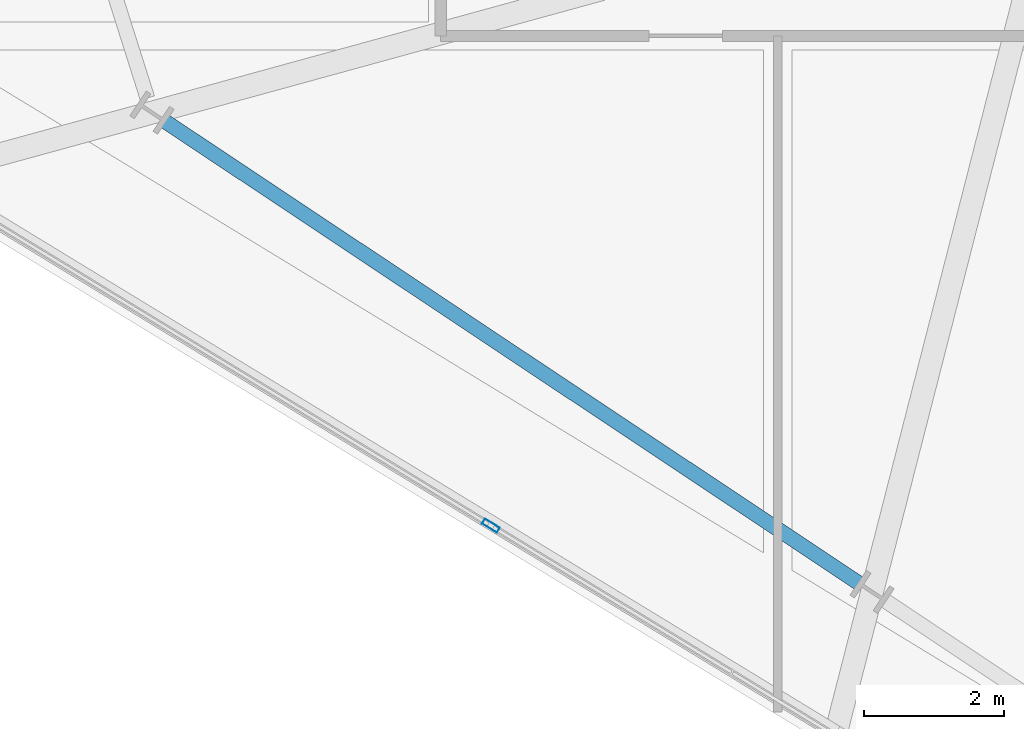
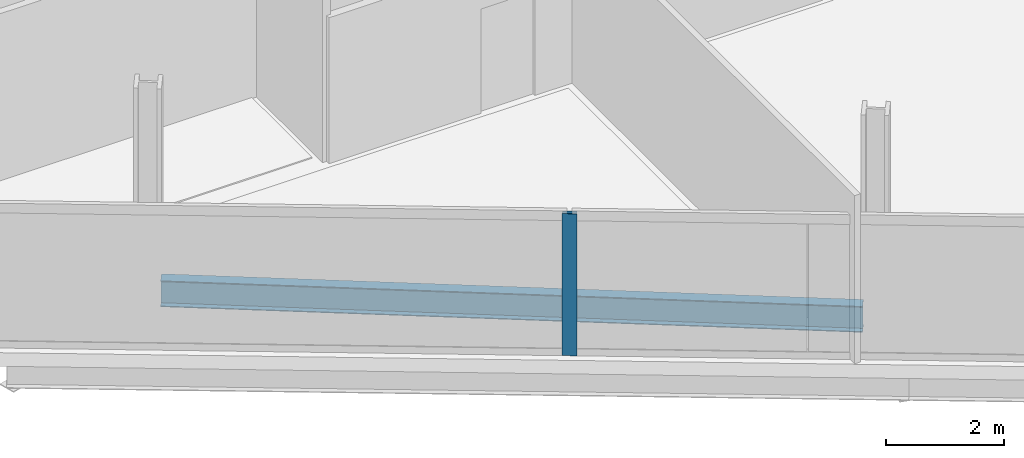
# One storey, part 2 of 28: 1 beam, 1 member, 1 element without a shape of its own.
"""IFC4 building model written with IfcOpenShell, lengths in metres."""

from ifc_helpers import new_model, si_unit, direction, frame, origin, origin_2d, place, context, subcontext, project, spatial, hollow_rectangle, i_section, extrude, material, material_profile, profile_set, type_object, element, aggregate, save


model = new_model("IFC4")

# Units and contexts
model_context = context("Model", 3, precision=1e-05, world=origin(), true_north=direction((0.0, 1.0)))
body_context = subcontext(model_context, "Body", "Model", "MODEL_VIEW")
ifc_project = project(units=[si_unit("LENGTHUNIT", "METRE"), si_unit("AREAUNIT", "SQUARE_METRE"), si_unit("VOLUMEUNIT", "CUBIC_METRE"), si_unit("PLANEANGLEUNIT", "RADIAN"), si_unit("MASSUNIT", "GRAM", prefix="KILO")], contexts=[model_context])

# Site, building, storey
site_placement = place(None, origin())
site = spatial("IfcSite", under=ifc_project, at=site_placement, CompositionType="ELEMENT")
building_placement = place(site_placement, origin())
building = spatial("IfcBuilding", under=site, at=building_placement, Name="Haldenkirk Collegiate Tower", CompositionType="ELEMENT")
storey_placement = place(building_placement, frame((0.0, 0.0, 224.699951171875)))
storey = spatial("IfcBuildingStorey", under=building, at=storey_placement, Name="L56", CompositionType="ELEMENT", Elevation=224.699951171875)

# Beam
ifc_material_1 = material(Name="Steel ASTM A992 Grade 50", Category="steel")
ifc_material_profile_1 = material_profile(ifc_material_1, i_section(OverallWidth=0.2099609375, OverallDepth=0.537109375, WebThickness=0.010986328125, FlangeThickness=0.017333984375, at=origin_2d()), Name="W21X68")
ifc_profile_set_1 = profile_set([ifc_material_profile_1], Name="Steel ASTM A992 Grade 50")
beam_type = type_object("IfcBeamType", Name="BM-SPANDREL-W21X68", PredefinedType="SPANDREL", material=ifc_profile_set_1)
beam_placement = place(storey_placement, frame((14.26904296875, 14.337158203125, -0.54833984375), z_axis=(0.832438805455, -0.554116986901, 0.0), x_axis=(0.554116986901, 0.832438805455, 0.0)))
element("IfcBeam", 1, at=beam_placement, inside=storey, type_object=beam_type, Name="L56 perimeter spandrel beam 14", PredefinedType="SPANDREL", context=body_context, shape_type="SweptSolid", body=[
    extrude(i_section(OverallWidth=0.2099609375, OverallDepth=0.537109375, WebThickness=0.010986328125, FlangeThickness=0.017333984375, at=origin_2d()), origin(), (0.0, 0.0, 1.0), 11.885009765625),
])

# Curtain wall, member
ifc_material_2 = material(Name="Anodised architectural bronze aluminium", Category="aluminium")
curtain_wall_type = type_object("IfcCurtainWallType", Name="CW-SYS1B-CONVEX-HI", PredefinedType="USERDEFINED", material=ifc_material_2)
curtain_wall_placement = place(storey_placement, origin())
curtain_wall = element("IfcCurtainWall", 2, at=curtain_wall_placement, inside=storey, type_object=curtain_wall_type, Name="L56 Upper tower high-wind convex bronze unitised curtain wall", ObjectType="UNITISED CURTAIN WALL", PredefinedType="USERDEFINED")
ifc_material_profile_2 = material_profile(ifc_material_2, hollow_rectangle(XDim=0.0849609375, YDim=0.25, WallThickness=0.0048828125, at=origin_2d()), Name="CW-MUL-1B")
ifc_profile_set_2 = profile_set([ifc_material_profile_2], Name="Anodised architectural bronze aluminium")
member_type = type_object("IfcMemberType", Name="CW-MUL-1B", PredefinedType="MULLION", material=ifc_profile_set_2)
member_placement = place(storey_placement, frame((18.914794921875, 8.57470703125, 0.0), z_axis=(0.0, 0.0, 1.0), x_axis=(-0.520268152303, -0.854002956493, 0.0)))
member = element("IfcMember", 3, at=member_placement, type_object=member_type, Name="CW-1B mullion 3", PredefinedType="MULLION", context=body_context, shape_type="SweptSolid", body=[
    extrude(hollow_rectangle(XDim=0.0849609375, YDim=0.25, WallThickness=0.0048828125, at=origin_2d()), origin(), (0.0, 0.0, 1.0), 2.927978515625),
])
aggregate(curtain_wall, [member])

save(model, "model.ifc")
